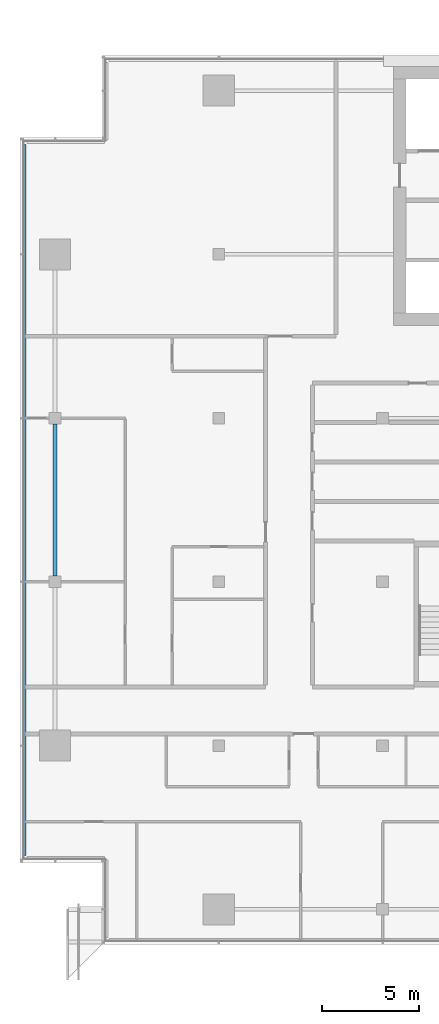
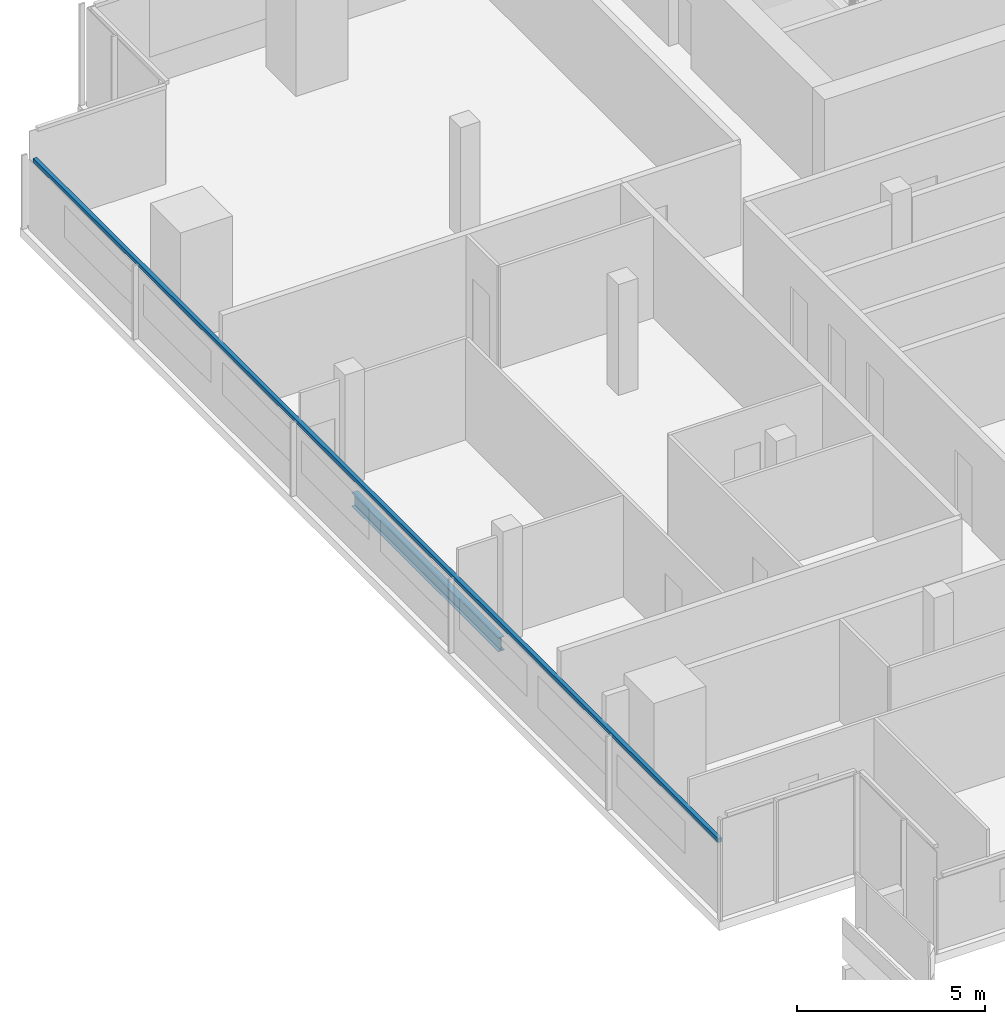
# One storey, part 5 of 25: 1 beam, 1 member, 1 element without a shape of its own.
"""IFC4 building model written with IfcOpenShell, lengths in metres."""

from ifc_helpers import new_model, si_unit, direction, frame, origin, origin_2d, place, context, subcontext, project, spatial, rectangle, i_section, extrude, material, material_profile, profile_set, type_object, element, aggregate, save


model = new_model("IFC4")

# Units and contexts
model_context = context("Model", 3, precision=1e-05, world=origin(), true_north=direction((0.0, 1.0)))
body_context = subcontext(model_context, "Body", "Model", "MODEL_VIEW")
ifc_project = project(units=[si_unit("LENGTHUNIT", "METRE"), si_unit("AREAUNIT", "SQUARE_METRE"), si_unit("VOLUMEUNIT", "CUBIC_METRE"), si_unit("PLANEANGLEUNIT", "RADIAN"), si_unit("MASSUNIT", "GRAM", prefix="KILO")], contexts=[model_context])

# Site, building, storey
site_placement = place(None, origin())
site = spatial("IfcSite", under=ifc_project, at=site_placement, CompositionType="ELEMENT")
building_placement = place(site_placement, origin())
building = spatial("IfcBuilding", under=site, at=building_placement, Name="Saffron Gate Tower", CompositionType="ELEMENT")
storey_placement = place(building_placement, frame((0.0, 0.0, 248.699951171875)))
storey = spatial("IfcBuildingStorey", under=building, at=storey_placement, Name="L61", CompositionType="ELEMENT", Elevation=248.699951171875)

# Beam
ifc_material_1 = material(Name="Structural steel S355", Category="steel")
ifc_material_profile_1 = material_profile(ifc_material_1, i_section(OverallWidth=0.18994140625, OverallDepth=0.449951171875, WebThickness=0.009521484375, FlangeThickness=0.0146484375, FilletRadius=0.02099609375, at=origin_2d()))
ifc_profile_set_1 = profile_set([ifc_material_profile_1], Name="Structural steel S355")
beam_type = type_object("IfcBeamType", Name="B7 IPE 450", PredefinedType="SPANDREL", material=ifc_profile_set_1)
beam_placement = place(storey_placement, frame((49.800048828125, 48.89990234375, -0.5048828125), z_axis=(0.0, 1.0, 0.0), x_axis=(-1.0, 0.0, 0.0)))
element("IfcBeam", 1, at=beam_placement, inside=storey, type_object=beam_type, Name="B7 SPANDREL BEAM", PredefinedType="SPANDREL", context=body_context, shape_type="SweptSolid", body=[
    extrude(i_section(OverallWidth=0.18994140625, OverallDepth=0.449951171875, WebThickness=0.009521484375, FlangeThickness=0.0146484375, FilletRadius=0.02099609375, at=origin_2d()), origin(), (0.0, 0.0, 1.0), 7.800048828125),
])

# Curtain wall, member
ifc_material_2 = material(Name="Aluminium, bronze anodised", Category="aluminium")
curtain_wall_type = type_object("IfcCurtainWallType", Name="CWS2 curtain wall side facades", PredefinedType="NOTDEFINED", material=ifc_material_2)
curtain_wall_placement = place(storey_placement, origin())
curtain_wall = element("IfcCurtainWall", 2, at=curtain_wall_placement, inside=storey, type_object=curtain_wall_type, Name="CWS2 run 10", PredefinedType="NOTDEFINED")
ifc_material_profile_2 = material_profile(ifc_material_2, rectangle(XDim=0.1201171875, YDim=0.1201171875, at=origin_2d()))
ifc_profile_set_2 = profile_set([ifc_material_profile_2], Name="Aluminium, bronze anodised")
member_type = type_object("IfcMemberType", Name="CWS2 head transom", PredefinedType="USERDEFINED", material=ifc_profile_set_2)
member_placement = place(storey_placement, frame((48.248046875, 71.031982421875, 2.35009765625), z_axis=(0.0, -1.0, 0.0), x_axis=(1.0, 0.0, 0.0)))
member = element("IfcMember", 3, at=member_placement, type_object=member_type, Name="CWS2 head transom", ObjectType="TRANSOM", PredefinedType="USERDEFINED", context=body_context, shape_type="SweptSolid", body=[
    extrude(rectangle(XDim=0.1201171875, YDim=0.1201171875, at=origin_2d()), origin(), (0.0, 0.0, 1.0), 36.4638671875),
])
aggregate(curtain_wall, [member])

save(model, "model.ifc")
